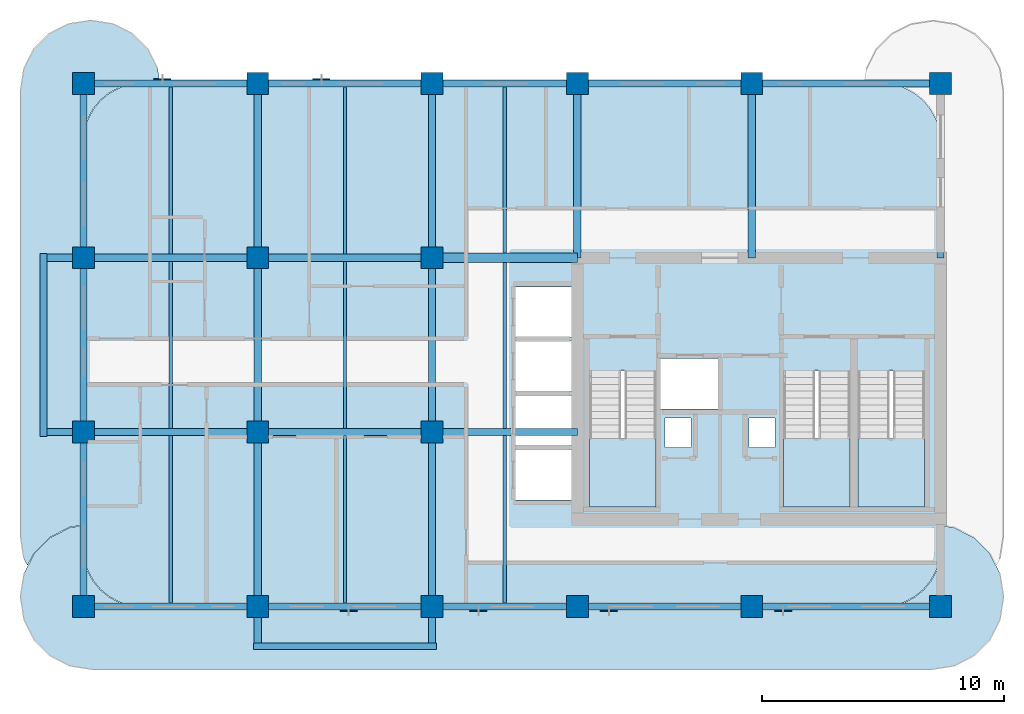
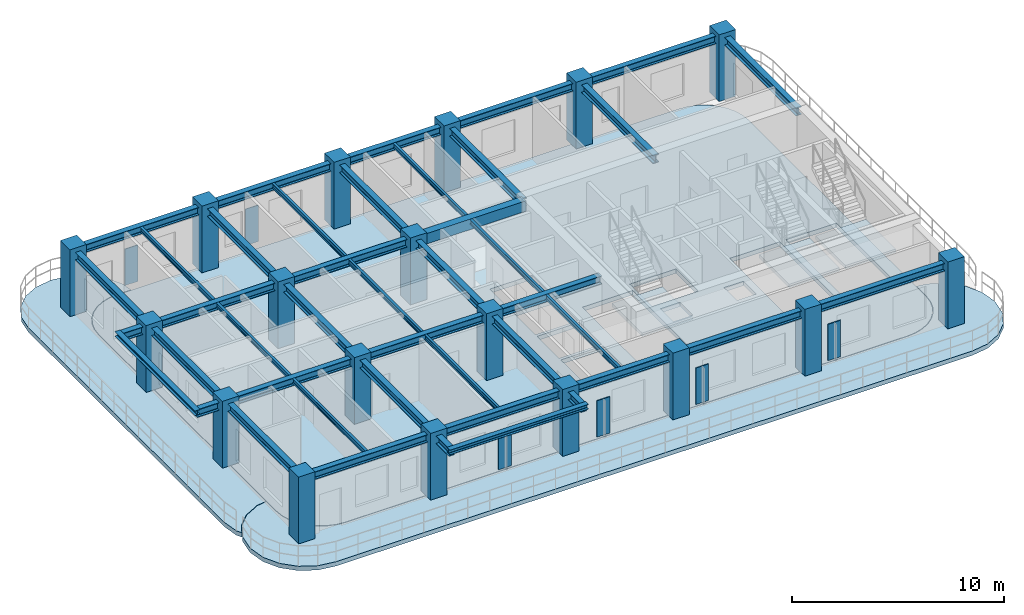
# One storey, part 1 of 7: 39 beams, 18 columns, 6 plates, 6 slabs, 3 elements without a shape of their own.
"""IFC4 building model written with IfcOpenShell, lengths in metres."""

from ifc_helpers import new_model, si_unit, derived_unit, direction, frame, origin, origin_2d, place, context, subcontext, project, spatial, polyline, rectangle, i_section, outline, extrude, source, transform, mapped, material, layer, layer_set, material_profile, profile_set, type_object, type_shapes, element, aggregate, save


model = new_model("IFC4")

# Units and contexts
model_context = context("Model", 3, precision=1e-05, world=origin(), true_north=direction((0.0, 1.0)))
body_context = subcontext(model_context, "Body", "Model", "MODEL_VIEW")
ifc_project = project(units=[si_unit("LENGTHUNIT", "METRE"), si_unit("AREAUNIT", "SQUARE_METRE"), si_unit("VOLUMEUNIT", "CUBIC_METRE"), si_unit("PLANEANGLEUNIT", "RADIAN"), si_unit("MASSUNIT", "GRAM", prefix="KILO"), si_unit("THERMODYNAMICTEMPERATUREUNIT", "KELVIN"), si_unit("POWERUNIT", "WATT"), derived_unit("THERMALTRANSMITTANCEUNIT", [(si_unit("POWERUNIT", "WATT"), 1), (si_unit("AREAUNIT", "SQUARE_METRE"), -1), (si_unit("THERMODYNAMICTEMPERATUREUNIT", "KELVIN"), -1)])], contexts=[model_context])

# Site, building, storey
site_placement = place(None, origin())
site = spatial("IfcSite", under=ifc_project, at=site_placement, CompositionType="ELEMENT")
building_placement = place(site_placement, origin())
building = spatial("IfcBuilding", under=site, at=building_placement, Name="Zahravan Archway Hotel and Residences", CompositionType="ELEMENT")
storey_placement = place(building_placement, frame((0.0, 0.0, 217.300048828125)))
storey = spatial("IfcBuildingStorey", under=building, at=storey_placement, Name="L54", CompositionType="ELEMENT", Elevation=217.300048828125)

# Columns
ifc_material_1 = material(Name="Concrete C60/75", Category="concrete")
ifc_material_profile_1 = material_profile(ifc_material_1, rectangle(XDim=0.89990234375, YDim=0.89990234375, at=origin_2d()), Name="RC-COL-900x900", Category="concrete")
ifc_profile_set_1 = profile_set([ifc_material_profile_1], Name="Concrete C60/75")
column_type = type_object("IfcColumnType", Name="COL-RC-900", PredefinedType="COLUMN", material=ifc_profile_set_1)
shared_shape_1 = source(origin(), body_context, "Body", "SweptSolid", [
    extrude(rectangle(XDim=0.89990234375, YDim=0.89990234375, at=origin_2d()), origin(), (0.0, 0.0, 1.0), 3.849853515625),
])
for number, where, z_axis, x_axis, name in (
    (1, (14.39990234375, 0.0, 0.0), (0.0, 0.0, 1.0), (1.0, 0.0, 0.0), "L54 Column 3-A"),
    (2, (14.39990234375, 7.199951171875, 0.0), (0.0, 0.0, 1.0), (1.0, 0.0, 0.0), "L54 Column 3-B"),
    (3, (14.39990234375, 14.39990234375, 0.0), (0.0, 0.0, 1.0), (1.0, 0.0, 0.0), "L54 Column 3-C"),
    (4, (14.39990234375, 21.60009765625, 0.0), (0.0, 0.0, 1.0), (1.0, 0.0, 0.0), "L54 Column 3-D"),
    (5, (21.60009765625, 0.0, 0.0), (0.0, 0.0, 1.0), (1.0, 0.0, 0.0), "L54 Column 4-A"),
    (6, (21.60009765625, 7.199951171875, 0.0), (0.0, 0.0, 1.0), (1.0, 0.0, 0.0), "L54 Column 4-B"),
    (7, (21.60009765625, 14.39990234375, 0.0), (0.0, 0.0, 1.0), (1.0, 0.0, 0.0), "L54 Column 4-C"),
    (8, (21.60009765625, 21.60009765625, 0.0), (0.0, 0.0, 1.0), (1.0, 0.0, 0.0), "L54 Column 4-D"),
    (9, (28.800048828125, 0.0, 0.0), (0.0, 0.0, 1.0), (1.0, 0.0, 0.0), "L54 Column 5-A"),
    (10, (28.800048828125, 7.199951171875, 0.0), (0.0, 0.0, 1.0), (1.0, 0.0, 0.0), "L54 Column 5-B"),
    (11, (28.800048828125, 14.39990234375, 0.0), (0.0, 0.0, 1.0), (1.0, 0.0, 0.0), "L54 Column 5-C"),
    (12, (28.800048828125, 21.60009765625, 0.0), (0.0, 0.0, 1.0), (1.0, 0.0, 0.0), "L54 Column 5-D"),
    (13, (34.800048828125, 0.0, 0.0), (0.0, 0.0, 1.0), (1.0, 0.0, 0.0), "L54 Column 6-A"),
    (14, (34.800048828125, 21.60009765625, 0.0), (0.0, 0.0, 1.0), (1.0, 0.0, 0.0), "L54 Column 6-D"),
    (15, (42.0, 0.0, 0.0), (0.0, 0.0, 1.0), (1.0, 0.0, 0.0), "L54 Column 7-A"),
    (16, (42.0, 21.60009765625, 0.0), (0.0, 0.0, 1.0), (1.0, 0.0, 0.0), "L54 Column 7-D"),
    (17, (49.800048828125, 0.0, 0.0), (0.0, 0.0, 1.0), (1.0, 0.0, 0.0), "L54 Column 8-A"),
    (18, (49.800048828125, 21.60009765625, 0.0), (0.0, 0.0, 1.0), (1.0, 0.0, 0.0), "L54 Column 8-D"),
):
    element("IfcColumn", number, at=place(storey_placement, frame(where, z_axis=z_axis, x_axis=x_axis)), inside=storey, type_object=column_type, Name=name, PredefinedType="COLUMN", context=body_context, shape_type="MappedRepresentation", body=[
        mapped(shared_shape_1, transform((0.0, 0.0, 0.0), scale=1.0)),
    ])

# Beams
ifc_material_2 = material(Name="Structural Steel S355JR", Category="steel")
ifc_material_profile_2 = material_profile(ifc_material_2, i_section(OverallWidth=0.280029296875, OverallDepth=0.280029296875, WebThickness=0.010498046875, FlangeThickness=0.01806640625, FilletRadius=0.02392578125, at=origin_2d()), Name="HEB 280", Category="steel")
ifc_profile_set_2 = profile_set([ifc_material_profile_2], Name="Structural Steel S355JR")
beam_type_1 = type_object("IfcBeamType", Name="BM-SPN-HEB280", PredefinedType="SPANDREL", material=ifc_profile_set_2)
shared_shape_2 = source(origin(), body_context, "Body", "SweptSolid", [
    extrude(i_section(OverallWidth=0.280029296875, OverallDepth=0.280029296875, WebThickness=0.010498046875, FlangeThickness=0.01806640625, FilletRadius=0.02392578125, at=origin_2d()), origin(), (0.0, 0.0, 1.0), 7.56005859375),
])
type_shapes(beam_type_1, [shared_shape_2])
for number, where, z_axis, x_axis, name in (
    (19, (12.75, 7.02001953125, 3.4599609375), (0.0, 1.0, 0.0), (-1.0, 0.0, 0.0), "L55 WA Balcony Edge Spandrel"),
    (20, (21.419921875, -1.64990234375, 3.4599609375), (1.0, 0.0, 0.0), (0.0, 1.0, 0.0), "L55 SA Balcony Edge Spandrel"),
):
    element("IfcBeam", number, at=place(storey_placement, frame(where, z_axis=z_axis, x_axis=x_axis)), inside=storey, type_object=beam_type_1, Name=name, PredefinedType="SPANDREL", context=body_context, shape_type="MappedRepresentation", body=[
        mapped(shared_shape_2, transform((0.0, 0.0, 0.0), scale=1.0)),
    ])
ifc_material_profile_3 = material_profile(ifc_material_1, rectangle(XDim=0.39990234375, YDim=0.60009765625, at=origin_2d()), Name="RC-LNT-400x600", Category="concrete")
ifc_profile_set_3 = profile_set([ifc_material_profile_3], Name="Concrete C60/75")
beam_type_2 = type_object("IfcBeamType", Name="LNT-RC-400x600", PredefinedType="LINTEL", material=ifc_profile_set_3)
shared_shape_3 = source(origin(), body_context, "Body", "SweptSolid", [
    extrude(rectangle(XDim=0.39990234375, YDim=0.60009765625, at=origin_2d()), origin(), (0.0, 0.0, 1.0), 6.0),
])
type_shapes(beam_type_2, [shared_shape_3])
beam_placement = place(storey_placement, frame((28.800048828125, 14.39990234375, 3.300048828125), z_axis=(1.0, 0.0, 0.0), x_axis=(0.0, 1.0, 0.0)))
element("IfcBeam", 21, at=beam_placement, inside=storey, type_object=beam_type_2, Name="L54 Core A Coupling Lintel Beam", PredefinedType="LINTEL", context=body_context, shape_type="MappedRepresentation", body=[
    mapped(shared_shape_3, transform((0.0, 0.0, 0.0), scale=1.0)),
])
ifc_material_profile_4 = material_profile(ifc_material_2, i_section(OverallWidth=0.300048828125, OverallDepth=0.449951171875, WebThickness=0.013916015625, FlangeThickness=0.02587890625, FilletRadius=0.027099609375, at=origin_2d()), Name="HEB 450", Category="steel")
ifc_profile_set_4 = profile_set([ifc_material_profile_4], Name="Structural Steel S355JR")
beam_type_3 = type_object("IfcBeamType", Name="BM-PRI-HEB450", PredefinedType="BEAM", material=ifc_profile_set_4)
shared_shape_4 = source(origin(), body_context, "Body", "SweptSolid", [
    extrude(i_section(OverallWidth=0.300048828125, OverallDepth=0.449951171875, WebThickness=0.013916015625, FlangeThickness=0.02587890625, FilletRadius=0.027099609375, at=origin_2d()), origin(), (0.0, 0.0, 1.0), 7.2001953125),
])
type_shapes(beam_type_3, [shared_shape_4])
for number, where, z_axis, x_axis, name in (
    (22, (14.39990234375, 0.0, 3.375), (1.0, 0.0, 0.0), (0.0, 1.0, 0.0), "L54 Primary Girder EW-01"),
    (23, (14.39990234375, 21.60009765625, 3.375), (1.0, 0.0, 0.0), (0.0, 1.0, 0.0), "L54 Primary Girder EW-11"),
    (24, (14.39990234375, 14.39990234375, 3.375), (0.0, 1.0, 0.0), (-1.0, 0.0, 0.0), "L54 Primary Girder NS-18"),
    (25, (21.60009765625, 14.39990234375, 3.375), (0.0, 1.0, 0.0), (-1.0, 0.0, 0.0), "L54 Primary Girder NS-21"),
    (26, (28.800048828125, 14.39990234375, 3.375), (0.0, 1.0, 0.0), (-1.0, 0.0, 0.0), "L54 Primary Girder NS-24"),
    (27, (34.800048828125, 14.39990234375, 3.375), (0.0, 1.0, 0.0), (-1.0, 0.0, 0.0), "L54 Primary Girder NS-25"),
    (28, (42.0, 14.39990234375, 3.375), (0.0, 1.0, 0.0), (-1.0, 0.0, 0.0), "L54 Primary Girder NS-26"),
    (29, (49.800048828125, 14.39990234375, 3.375), (0.0, 1.0, 0.0), (-1.0, 0.0, 0.0), "L54 Primary Girder NS-27"),
):
    element("IfcBeam", number, at=place(storey_placement, frame(where, z_axis=z_axis, x_axis=x_axis)), inside=storey, type_object=beam_type_3, Name=name, PredefinedType="BEAM", context=body_context, shape_type="MappedRepresentation", body=[
        mapped(shared_shape_4, transform((0.0, 0.0, 0.0), scale=1.0)),
    ])
shared_shape_5 = source(origin(), body_context, "Body", "SweptSolid", [
    extrude(i_section(OverallWidth=0.300048828125, OverallDepth=0.449951171875, WebThickness=0.013916015625, FlangeThickness=0.02587890625, FilletRadius=0.027099609375, at=origin_2d()), origin(), (0.0, 0.0, 1.0), 7.199951171875),
])
for number, where, z_axis, x_axis, name in (
    (30, (21.60009765625, 0.0, 3.375), (1.0, 0.0, 0.0), (0.0, 1.0, 0.0), "L54 Primary Girder EW-02"),
    (31, (34.800048828125, 0.0, 3.375), (1.0, 0.0, 0.0), (0.0, 1.0, 0.0), "L54 Primary Girder EW-04"),
    (32, (21.60009765625, 7.199951171875, 3.375), (1.0, 0.0, 0.0), (0.0, 1.0, 0.0), "L54 Primary Girder EW-07"),
    (33, (21.60009765625, 14.39990234375, 3.375), (1.0, 0.0, 0.0), (0.0, 1.0, 0.0), "L54 Primary Girder EW-10"),
    (34, (21.60009765625, 21.60009765625, 3.375), (1.0, 0.0, 0.0), (0.0, 1.0, 0.0), "L54 Primary Girder EW-12"),
    (35, (34.800048828125, 21.60009765625, 3.375), (1.0, 0.0, 0.0), (0.0, 1.0, 0.0), "L54 Primary Girder EW-14"),
    (36, (14.39990234375, 0.0, 3.375), (0.0, 1.0, 0.0), (-1.0, 0.0, 0.0), "L54 Primary Girder NS-16"),
    (37, (14.39990234375, 7.199951171875, 3.375), (0.0, 1.0, 0.0), (-1.0, 0.0, 0.0), "L54 Primary Girder NS-17"),
    (38, (21.60009765625, 7.199951171875, 3.375), (0.0, 1.0, 0.0), (-1.0, 0.0, 0.0), "L54 Primary Girder NS-20"),
    (39, (28.800048828125, 7.199951171875, 3.375), (0.0, 1.0, 0.0), (-1.0, 0.0, 0.0), "L54 Primary Girder NS-23"),
):
    element("IfcBeam", number, at=place(storey_placement, frame(where, z_axis=z_axis, x_axis=x_axis)), inside=storey, type_object=beam_type_3, Name=name, PredefinedType="BEAM", context=body_context, shape_type="MappedRepresentation", body=[
        mapped(shared_shape_5, transform((0.0, 0.0, 0.0), scale=1.0)),
    ])
shared_shape_6 = source(origin(), body_context, "Body", "SweptSolid", [
    extrude(i_section(OverallWidth=0.300048828125, OverallDepth=0.449951171875, WebThickness=0.013916015625, FlangeThickness=0.02587890625, FilletRadius=0.027099609375, at=origin_2d()), origin(), (0.0, 0.0, 1.0), 6.0),
])
for number, where, z_axis, x_axis, name in (
    (40, (28.800048828125, 0.0, 3.375), (1.0, 0.0, 0.0), (0.0, 1.0, 0.0), "L54 Primary Girder EW-03"),
    (41, (28.800048828125, 7.199951171875, 3.375), (1.0, 0.0, 0.0), (0.0, 1.0, 0.0), "L54 Primary Girder EW-08"),
    (42, (28.800048828125, 21.60009765625, 3.375), (1.0, 0.0, 0.0), (0.0, 1.0, 0.0), "L54 Primary Girder EW-13"),
):
    element("IfcBeam", number, at=place(storey_placement, frame(where, z_axis=z_axis, x_axis=x_axis)), inside=storey, type_object=beam_type_3, Name=name, PredefinedType="BEAM", context=body_context, shape_type="MappedRepresentation", body=[
        mapped(shared_shape_6, transform((0.0, 0.0, 0.0), scale=1.0)),
    ])
shared_shape_7 = source(origin(), body_context, "Body", "SweptSolid", [
    extrude(i_section(OverallWidth=0.300048828125, OverallDepth=0.449951171875, WebThickness=0.013916015625, FlangeThickness=0.02587890625, FilletRadius=0.027099609375, at=origin_2d()), origin(), (0.0, 0.0, 1.0), 7.800048828125),
])
for number, where, z_axis, x_axis, name in (
    (43, (42.0, 0.0, 3.375), (1.0, 0.0, 0.0), (0.0, 1.0, 0.0), "L54 Primary Girder EW-05"),
    (44, (42.0, 21.60009765625, 3.375), (1.0, 0.0, 0.0), (0.0, 1.0, 0.0), "L54 Primary Girder EW-15"),
):
    element("IfcBeam", number, at=place(storey_placement, frame(where, z_axis=z_axis, x_axis=x_axis)), inside=storey, type_object=beam_type_3, Name=name, PredefinedType="BEAM", context=body_context, shape_type="MappedRepresentation", body=[
        mapped(shared_shape_7, transform((0.0, 0.0, 0.0), scale=1.0)),
    ])
ifc_material_profile_5 = material_profile(ifc_material_2, i_section(OverallWidth=0.135009765625, OverallDepth=0.27001953125, WebThickness=0.006591796875, FlangeThickness=0.01025390625, FilletRadius=0.014892578125, at=origin_2d()), Name="IPE 270", Category="steel")
ifc_profile_set_5 = profile_set([ifc_material_profile_5], Name="Structural Steel S355JR")
beam_type_4 = type_object("IfcBeamType", Name="BM-JST-IPE270", PredefinedType="JOIST", material=ifc_profile_set_5)
shared_shape_8 = source(origin(), body_context, "Body", "SweptSolid", [
    extrude(i_section(OverallWidth=0.135009765625, OverallDepth=0.27001953125, WebThickness=0.006591796875, FlangeThickness=0.01025390625, FilletRadius=0.014892578125, at=origin_2d()), origin(), (0.0, 0.0, 1.0), 6.904052734375),
])
type_shapes(beam_type_4, [shared_shape_8])
for number, where, z_axis, x_axis, name in (
    (45, (18.0, 0.14794921875, 3.46484375), (0.0, 1.0, 0.0), (-1.0, 0.0, 0.0), "L54 Composite Floor Joist 01"),
    (46, (25.199951171875, 0.14794921875, 3.46484375), (0.0, 1.0, 0.0), (-1.0, 0.0, 0.0), "L54 Composite Floor Joist 02"),
    (47, (31.800048828125, 0.14794921875, 3.46484375), (0.0, 1.0, 0.0), (-1.0, 0.0, 0.0), "L54 Composite Floor Joist 03"),
    (48, (18.0, 7.347900390625, 3.46484375), (0.0, 1.0, 0.0), (-1.0, 0.0, 0.0), "L54 Composite Floor Joist 04"),
    (49, (25.199951171875, 7.347900390625, 3.46484375), (0.0, 1.0, 0.0), (-1.0, 0.0, 0.0), "L54 Composite Floor Joist 05"),
):
    element("IfcBeam", number, at=place(storey_placement, frame(where, z_axis=z_axis, x_axis=x_axis)), inside=storey, type_object=beam_type_4, Name=name, PredefinedType="JOIST", context=body_context, shape_type="MappedRepresentation", body=[
        mapped(shared_shape_8, transform((0.0, 0.0, 0.0), scale=1.0)),
    ])
shared_shape_9 = source(origin(), body_context, "Body", "SweptSolid", [
    extrude(i_section(OverallWidth=0.135009765625, OverallDepth=0.27001953125, WebThickness=0.006591796875, FlangeThickness=0.01025390625, FilletRadius=0.014892578125, at=origin_2d()), origin(), (0.0, 0.0, 1.0), 6.85400390625),
])
for number, where, z_axis, x_axis, name in (
    (50, (31.800048828125, 7.347900390625, 3.46484375), (0.0, 1.0, 0.0), (-1.0, 0.0, 0.0), "L54 Composite Floor Joist 06"),
    (51, (31.800048828125, 14.597900390625, 3.46484375), (0.0, 1.0, 0.0), (-1.0, 0.0, 0.0), "L54 Composite Floor Joist 07"),
):
    element("IfcBeam", number, at=place(storey_placement, frame(where, z_axis=z_axis, x_axis=x_axis)), inside=storey, type_object=beam_type_4, Name=name, PredefinedType="JOIST", context=body_context, shape_type="MappedRepresentation", body=[
        mapped(shared_shape_9, transform((0.0, 0.0, 0.0), scale=1.0)),
    ])
shared_shape_10 = source(origin(), body_context, "Body", "SweptSolid", [
    extrude(i_section(OverallWidth=0.135009765625, OverallDepth=0.27001953125, WebThickness=0.006591796875, FlangeThickness=0.01025390625, FilletRadius=0.014892578125, at=origin_2d()), origin(), (0.0, 0.0, 1.0), 6.90380859375),
])
for number, where, z_axis, x_axis, name in (
    (52, (18.0, 14.548095703125, 3.46484375), (0.0, 1.0, 0.0), (-1.0, 0.0, 0.0), "L54 Composite Floor Joist 08"),
    (53, (25.199951171875, 14.548095703125, 3.46484375), (0.0, 1.0, 0.0), (-1.0, 0.0, 0.0), "L54 Composite Floor Joist 09"),
):
    element("IfcBeam", number, at=place(storey_placement, frame(where, z_axis=z_axis, x_axis=x_axis)), inside=storey, type_object=beam_type_4, Name=name, PredefinedType="JOIST", context=body_context, shape_type="MappedRepresentation", body=[
        mapped(shared_shape_10, transform((0.0, 0.0, 0.0), scale=1.0)),
    ])
shared_shape_11 = source(origin(), body_context, "Body", "SweptSolid", [
    extrude(i_section(OverallWidth=0.300048828125, OverallDepth=0.449951171875, WebThickness=0.013916015625, FlangeThickness=0.02587890625, FilletRadius=0.027099609375, at=origin_2d()), origin(), (0.0, 0.0, 1.0), 8.85009765625),
])
for number, where, z_axis, x_axis, name in (
    (54, (12.75, 7.199951171875, 3.375), (1.0, 0.0, 0.0), (0.0, 1.0, 0.0), "L54 Primary Girder EW-06"),
    (55, (12.75, 14.39990234375, 3.375), (1.0, 0.0, 0.0), (0.0, 1.0, 0.0), "L54 Primary Girder EW-09"),
):
    element("IfcBeam", number, at=place(storey_placement, frame(where, z_axis=z_axis, x_axis=x_axis)), inside=storey, type_object=beam_type_3, Name=name, PredefinedType="BEAM", context=body_context, shape_type="MappedRepresentation", body=[
        mapped(shared_shape_11, transform((0.0, 0.0, 0.0), scale=1.0)),
    ])
shared_shape_12 = source(origin(), body_context, "Body", "SweptSolid", [
    extrude(i_section(OverallWidth=0.300048828125, OverallDepth=0.449951171875, WebThickness=0.013916015625, FlangeThickness=0.02587890625, FilletRadius=0.027099609375, at=origin_2d()), origin(), (0.0, 0.0, 1.0), 8.849853515625),
])
for number, where, z_axis, x_axis, name in (
    (56, (21.60009765625, -1.64990234375, 3.375), (0.0, 1.0, 0.0), (-1.0, 0.0, 0.0), "L54 Primary Girder NS-19"),
    (57, (28.800048828125, -1.64990234375, 3.375), (0.0, 1.0, 0.0), (-1.0, 0.0, 0.0), "L54 Primary Girder NS-22"),
):
    element("IfcBeam", number, at=place(storey_placement, frame(where, z_axis=z_axis, x_axis=x_axis)), inside=storey, type_object=beam_type_3, Name=name, PredefinedType="BEAM", context=body_context, shape_type="MappedRepresentation", body=[
        mapped(shared_shape_12, transform((0.0, 0.0, 0.0), scale=1.0)),
    ])

# Slabs
ifc_material_3 = material(Name="Concrete C45/55", Category="concrete")
ifc_layer_1 = layer(ifc_material_3, 0.25, Name="Concrete C45/55", Category="concrete")
ifc_layer_set_1 = layer_set([ifc_layer_1], Name="Concrete C45/55")
slab_type_1 = type_object("IfcSlabType", Name="SLB-BALC-250", PredefinedType="FLOOR", material=ifc_layer_set_1)
slab_1_placement = place(storey_placement, frame((0.0, 0.0, -0.25)))
element("IfcSlab", 58, at=slab_1_placement, inside=storey, type_object=slab_type_1, Name="L54 Wing A South Rounded Balcony Band", PredefinedType="FLOOR", context=body_context, shape_type="SweptSolid", body=[
    extrude(outline(polyline([(50.361572265625, 3.255615234375), (51.18408203125, 2.836669921875), (51.836669921875, 2.18408203125), (52.255615234375, 1.361572265625), (52.39990234375, 0.449951171875), (52.39990234375, 0.35009765625), (52.255615234375, -0.5615234375), (51.836669921875, -1.384033203125), (51.18408203125, -2.03662109375), (50.361572265625, -2.45556640625), (49.449951171875, -2.60009765625), (14.75, -2.60009765625), (13.83837890625, -2.45556640625), (13.01611328125, -2.03662109375), (12.36328125, -1.384033203125), (11.9443359375, -0.5615234375), (11.800048828125, 0.35009765625), (11.800048828125, 0.449951171875), (11.9443359375, 1.361572265625), (12.36328125, 2.18408203125), (13.01611328125, 2.836669921875), (13.83837890625, 3.255615234375), (14.3798828125, 3.34130859375), (14.3798828125, 2.39990234375), (14.380126953125, 2.39794921875), (14.42626953125, 1.9296875), (14.426513671875, 1.927978515625), (14.427001953125, 1.926025390625), (14.563720703125, 1.475830078125), (14.564208984375, 1.473876953125), (14.565185546875, 1.47216796875), (14.786865234375, 1.05712890625), (14.787841796875, 1.055419921875), (14.7890625, 1.053955078125), (15.08740234375, 0.690185546875), (15.0888671875, 0.688720703125), (15.090087890625, 0.6875), (15.453857421875, 0.388916015625), (15.45556640625, 0.387939453125), (15.457275390625, 0.386962890625), (15.872314453125, 0.1650390625), (15.873779296875, 0.164306640625), (15.875732421875, 0.16357421875), (16.325927734375, 0.027099609375), (16.327880859375, 0.026611328125), (16.329833984375, 0.026123046875), (16.798095703125, -0.02001953125), (16.800048828125, -0.02001953125), (47.39990234375, -0.02001953125), (47.402099609375, -0.02001953125), (47.8701171875, 0.026123046875), (47.8720703125, 0.026611328125), (47.8740234375, 0.027099609375), (48.32421875, 0.16357421875), (48.326171875, 0.164306640625), (48.327880859375, 0.1650390625), (48.742919921875, 0.386962890625), (48.744384765625, 0.387939453125), (48.74609375, 0.388916015625), (49.10986328125, 0.6875), (49.111083984375, 0.688720703125), (49.112548828125, 0.690185546875), (49.410888671875, 1.053955078125), (49.412109375, 1.055419921875), (49.4130859375, 1.05712890625), (49.635009765625, 1.47216796875), (49.6357421875, 1.473876953125), (49.636474609375, 1.475830078125), (49.77294921875, 1.926025390625), (49.7734375, 1.927978515625), (49.773681640625, 1.9296875), (49.81982421875, 2.39794921875), (49.820068359375, 2.39990234375), (49.820068359375, 3.34130859375), (50.361572265625, 3.255615234375)])), origin(), (0.0, 0.0, 1.0), 0.25),
])
slab_2_placement = place(storey_placement, frame((0.0, 0.0, -0.25)))
element("IfcSlab", 59, at=slab_2_placement, inside=storey, type_object=slab_type_1, Name="L54 Wing A West Rounded Balcony Band", PredefinedType="FLOOR", context=body_context, shape_type="SweptSolid", body=[
    extrude(outline(polyline([(11.939453125, 1.96923828125), (11.800048828125, 2.85009765625), (11.800048828125, 21.35009765625), (11.939453125, 22.230712890625), (12.34423828125, 23.025146484375), (12.974853515625, 23.65576171875), (13.769287109375, 24.060546875), (14.64990234375, 24.199951171875), (14.75, 24.199951171875), (15.630615234375, 24.060546875), (16.42529296875, 23.65576171875), (17.0556640625, 23.025146484375), (17.46044921875, 22.230712890625), (17.55712890625, 21.6201171875), (16.800048828125, 21.6201171875), (16.798095703125, 21.619873046875), (16.329833984375, 21.57373046875), (16.327880859375, 21.573486328125), (16.325927734375, 21.572998046875), (15.875732421875, 21.436279296875), (15.873779296875, 21.435791015625), (15.872314453125, 21.434814453125), (15.457275390625, 21.213134765625), (15.45556640625, 21.212158203125), (15.453857421875, 21.2109375), (15.090087890625, 20.91259765625), (15.0888671875, 20.9111328125), (15.08740234375, 20.909912109375), (14.7890625, 20.546142578125), (14.787841796875, 20.54443359375), (14.786865234375, 20.542724609375), (14.565185546875, 20.127685546875), (14.564208984375, 20.126220703125), (14.563720703125, 20.124267578125), (14.427001953125, 19.674072265625), (14.426513671875, 19.672119140625), (14.42626953125, 19.670166015625), (14.380126953125, 19.201904296875), (14.3798828125, 19.199951171875), (14.3798828125, 3.361328125), (14.37890625, 3.361328125), (14.376953125, 3.361083984375), (13.835205078125, 3.275390625), (13.833251953125, 3.27490234375), (13.831298828125, 3.2744140625), (13.829345703125, 3.2734375), (13.0068359375, 2.8544921875), (13.005126953125, 2.853515625), (13.00341796875, 2.85205078125), (13.001953125, 2.8505859375), (12.349365234375, 2.197998046875), (12.347900390625, 2.196533203125), (12.3466796875, 2.19482421875), (12.345703125, 2.193115234375), (12.08544921875, 1.6826171875), (11.939453125, 1.96923828125)])), origin(), (0.0, 0.0, 1.0), 0.25),
])
ifc_layer_2 = layer(ifc_material_3, 0.25, Name="Concrete C45/55", Category="concrete")
ifc_layer_set_2 = layer_set([ifc_layer_2], Name="Concrete C45/55")
slab_type_2 = type_object("IfcSlabType", Name="SLB-FLR-250", PredefinedType="FLOOR", material=ifc_layer_set_2)
slab_3_placement = place(storey_placement, frame((0.0, 0.0, -0.25)))
element("IfcSlab", 60, at=slab_3_placement, inside=storey, type_object=slab_type_2, Name="L54 Floor Slab WA", PredefinedType="FLOOR", context=body_context, shape_type="SweptSolid", body=[
    extrude(outline(polyline([(47.39990234375, 0.0), (47.8681640625, 0.046142578125), (48.318359375, 0.1826171875), (48.7333984375, 0.404541015625), (49.09716796875, 0.702880859375), (49.3955078125, 1.066650390625), (49.6171875, 1.481689453125), (49.75390625, 1.931884765625), (49.800048828125, 2.39990234375), (49.800048828125, 19.199951171875), (49.75390625, 19.668212890625), (49.6171875, 20.118408203125), (49.3955078125, 20.533447265625), (49.09716796875, 20.897216796875), (48.7333984375, 21.195556640625), (48.318359375, 21.417236328125), (47.8681640625, 21.553955078125), (47.39990234375, 21.60009765625), (16.800048828125, 21.60009765625), (16.331787109375, 21.553955078125), (15.881591796875, 21.417236328125), (15.466552734375, 21.195556640625), (15.102783203125, 20.897216796875), (14.804443359375, 20.533447265625), (14.582763671875, 20.118408203125), (14.446044921875, 19.668212890625), (14.39990234375, 19.199951171875), (14.39990234375, 2.39990234375), (14.446044921875, 1.931884765625), (14.582763671875, 1.481689453125), (14.804443359375, 1.066650390625), (15.102783203125, 0.702880859375), (15.466552734375, 0.404541015625), (15.881591796875, 0.1826171875), (16.331787109375, 0.046142578125), (16.800048828125, 0.0), (47.39990234375, 0.0)]), holes=[polyline([(35.300048828125, 9.72998046875), (35.300048828125, 4.10009765625), (38.0400390625, 4.10009765625), (38.0400390625, 9.72998046875), (35.300048828125, 9.72998046875)]), polyline([(43.320068359375, 9.72998046875), (43.320068359375, 4.10009765625), (46.06005859375, 4.10009765625), (46.06005859375, 9.72998046875), (43.320068359375, 9.72998046875)]), polyline([(46.39990234375, 9.72998046875), (46.39990234375, 4.10009765625), (49.139892578125, 4.10009765625), (49.139892578125, 9.72998046875), (46.39990234375, 9.72998046875)]), polyline([(38.179931640625, 8.14990234375), (40.699951171875, 8.14990234375), (40.699951171875, 10.25), (38.179931640625, 10.25), (38.179931640625, 8.14990234375)]), polyline([(32.25, 4.39990234375), (34.550048828125, 4.39990234375), (34.550048828125, 6.47998046875), (32.25, 6.47998046875), (32.25, 4.39990234375)]), polyline([(32.25, 6.639892578125), (34.550048828125, 6.639892578125), (34.550048828125, 8.719970703125), (32.25, 8.719970703125), (32.25, 6.639892578125)]), polyline([(32.25, 8.8798828125), (34.550048828125, 8.8798828125), (34.550048828125, 10.9599609375), (32.25, 10.9599609375), (32.25, 8.8798828125)]), polyline([(32.25, 11.1201171875), (34.550048828125, 11.1201171875), (34.550048828125, 13.199951171875), (32.25, 13.199951171875), (32.25, 11.1201171875)]), polyline([(38.419921875, 6.56005859375), (39.5, 6.56005859375), (39.5, 7.780029296875), (38.419921875, 7.780029296875), (38.419921875, 6.56005859375)]), polyline([(41.89990234375, 6.56005859375), (42.9599609375, 6.56005859375), (42.9599609375, 7.780029296875), (41.89990234375, 7.780029296875), (41.89990234375, 6.56005859375)])]), origin(), (0.0, 0.0, 1.0), 0.25),
])

# Stair, slab
ifc_material_4 = material(Name="Concrete C50/60", Category="concrete")
stair_type = type_object("IfcStairType", Name="STR-CORE-1300", PredefinedType="HALF_TURN_STAIR", material=ifc_material_4)
stair_1_placement = place(storey_placement, origin())
stair_1 = element("IfcStair", 61, at=stair_1_placement, inside=storey, type_object=stair_type, Name="L54 Core A Exit Stair 1", PredefinedType="HALF_TURN_STAIR")
ifc_layer_3 = layer(ifc_material_4, 0.199951171875, Name="Concrete C50/60", Category="concrete")
ifc_layer_set_3 = layer_set([ifc_layer_3], Name="Concrete C50/60")
slab_type_3 = type_object("IfcSlabType", Name="SLB-LND-200", PredefinedType="LANDING", material=ifc_layer_set_3)
slab_4_placement = place(storey_placement, frame((0.0, 0.0, 1.724853515625)))
slab_4 = element("IfcSlab", 62, at=slab_4_placement, type_object=slab_type_3, Name="ST-A1 landing 1", PredefinedType="LANDING", context=body_context, shape_type="SweptSolid", body=[
    extrude(outline(polyline([(35.300048828125, 6.929931640625), (35.300048828125, 4.10009765625), (38.0400390625, 4.10009765625), (38.0400390625, 6.929931640625), (35.300048828125, 6.929931640625)])), origin(), (0.0, 0.0, 1.0), 0.2001953125),
])
aggregate(stair_1, [slab_4])

stair_2_placement = place(storey_placement, origin())
stair_2 = element("IfcStair", 63, at=stair_2_placement, inside=storey, type_object=stair_type, Name="L54 Core A Exit Stair 2", PredefinedType="HALF_TURN_STAIR")
slab_5_placement = place(storey_placement, frame((0.0, 0.0, 1.724853515625)))
slab_5 = element("IfcSlab", 64, at=slab_5_placement, type_object=slab_type_3, Name="ST-A2 landing 1", PredefinedType="LANDING", context=body_context, shape_type="SweptSolid", body=[
    extrude(outline(polyline([(43.320068359375, 6.929931640625), (43.320068359375, 4.10009765625), (46.06005859375, 4.10009765625), (46.06005859375, 6.929931640625), (43.320068359375, 6.929931640625)])), origin(), (0.0, 0.0, 1.0), 0.2001953125),
])
aggregate(stair_2, [slab_5])

stair_3_placement = place(storey_placement, origin())
stair_3 = element("IfcStair", 65, at=stair_3_placement, inside=storey, type_object=stair_type, Name="L54 Core A Exit Stair 3", PredefinedType="HALF_TURN_STAIR")
slab_6_placement = place(storey_placement, frame((0.0, 0.0, 1.724853515625)))
slab_6 = element("IfcSlab", 66, at=slab_6_placement, type_object=slab_type_3, Name="ST-A3 landing 1", PredefinedType="LANDING", context=body_context, shape_type="SweptSolid", body=[
    extrude(outline(polyline([(46.39990234375, 6.929931640625), (46.39990234375, 4.10009765625), (49.139892578125, 4.10009765625), (49.139892578125, 6.929931640625), (46.39990234375, 6.929931640625)])), origin(), (0.0, 0.0, 1.0), 0.2001953125),
])
aggregate(stair_3, [slab_6])

# Plates
ifc_material_5 = material(Name="Perforated Cast Bronze Jali Lattice")
ifc_layer_4 = layer(ifc_material_5, 0.044921875, Name="Perforated Cast Bronze Jali Lattice")
ifc_layer_set_4 = layer_set([ifc_layer_4], Name="Perforated Cast Bronze Jali Lattice")
plate_type = type_object("IfcPlateType", Name="PLT-JALI-BAY", PredefinedType="USERDEFINED", material=ifc_layer_set_4)
shared_shape_13 = source(origin(), body_context, "Body", "SweptSolid", [
    extrude(rectangle(XDim=0.699951171875, YDim=0.044921875, at=origin_2d()), origin(), (0.0, 0.0, 1.0), 2.10009765625),
])
type_shapes(plate_type, [shared_shape_13])
for number, where, z_axis, x_axis, name in (
    (67, (25.347900390625, -0.177978515625, 0.25), (0.0, 0.0, 1.0), (1.0, 0.0, 0.0), "L54 Perforated Bronze Jali Pier Screen 01"),
    (68, (30.7080078125, -0.177978515625, 0.25), (0.0, 0.0, 1.0), (1.0, 0.0, 0.0), "L54 Perforated Bronze Jali Pier Screen 02"),
    (69, (36.10009765625, -0.177978515625, 0.25), (0.0, 0.0, 1.0), (1.0, 0.0, 0.0), "L54 Perforated Bronze Jali Pier Screen 03"),
    (70, (43.300048828125, -0.177978515625, 0.25), (0.0, 0.0, 1.0), (1.0, 0.0, 0.0), "L54 Perforated Bronze Jali Pier Screen 04"),
    (71, (17.657958984375, 21.778076171875, 0.25), (0.0, 0.0, 1.0), (1.0, 0.0, 0.0), "L54 Perforated Bronze Jali Pier Screen 05"),
    (72, (24.22802734375, 21.778076171875, 0.25), (0.0, 0.0, 1.0), (1.0, 0.0, 0.0), "L54 Perforated Bronze Jali Pier Screen 06"),
):
    element("IfcPlate", number, at=place(storey_placement, frame(where, z_axis=z_axis, x_axis=x_axis)), inside=storey, type_object=plate_type, Name=name, ObjectType="SCREEN", PredefinedType="USERDEFINED", context=body_context, shape_type="MappedRepresentation", body=[
        mapped(shared_shape_13, transform((0.0, 0.0, 0.0), scale=1.0)),
    ])

save(model, "model.ifc")
